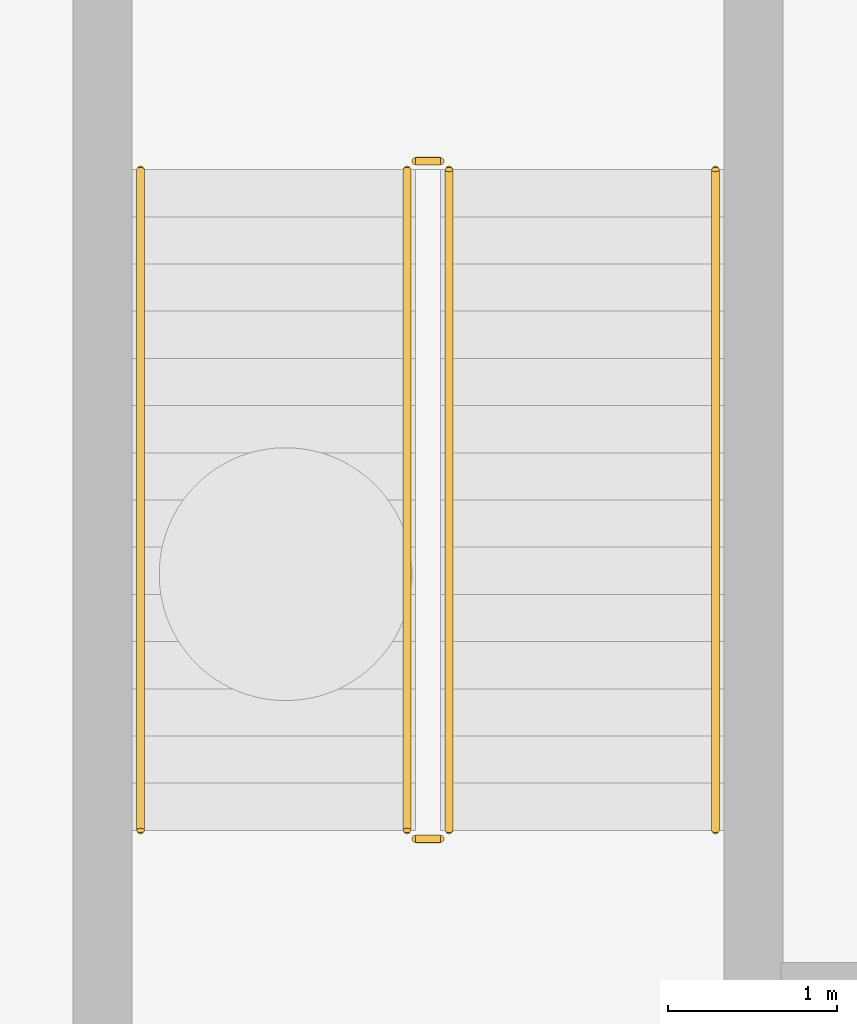
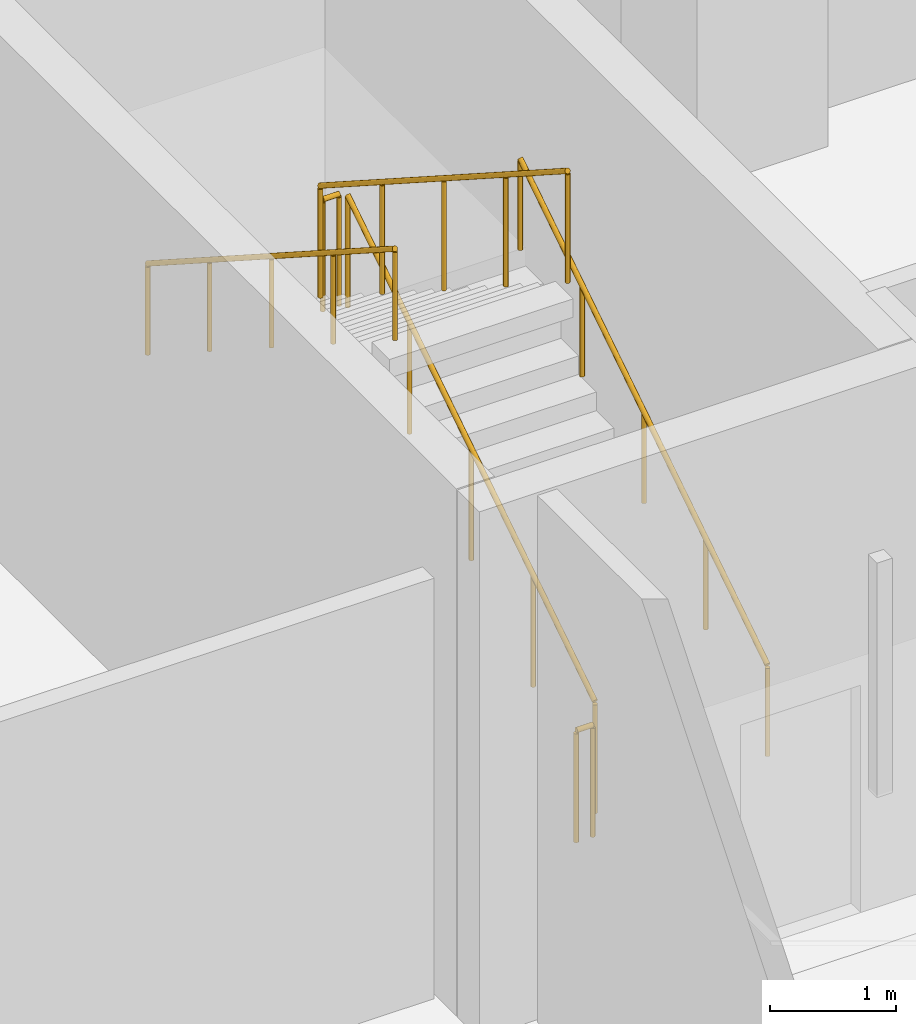
# One storey, part 16 of 22: 6 railings.
"""IFC4 building model written with IfcOpenShell, lengths in metres."""

from ifc_helpers import new_model, si_unit, direction, frame, origin, origin_2d, place, context, subcontext, project, spatial, circle, extrude, material, type_object, element, save


model = new_model("IFC4")

# Units and contexts
model_context = context("Model", 3, precision=1e-05, world=origin(), true_north=direction((0.0, 1.0)))
body_context = subcontext(model_context, "Body", "Model", "MODEL_VIEW")
ifc_project = project(units=[si_unit("LENGTHUNIT", "METRE"), si_unit("AREAUNIT", "SQUARE_METRE"), si_unit("VOLUMEUNIT", "CUBIC_METRE"), si_unit("PLANEANGLEUNIT", "RADIAN"), si_unit("MASSUNIT", "GRAM", prefix="KILO")], contexts=[model_context])

# Site, building, storey
site_placement = place(None, origin())
site = spatial("IfcSite", under=ifc_project, at=site_placement, CompositionType="ELEMENT")
building_placement = place(site_placement, origin())
building = spatial("IfcBuilding", under=site, at=building_placement, Name="Qorvath Tower", CompositionType="ELEMENT")
storey_placement = place(building_placement, frame((0.0, 0.0, -5.39990234375)))
storey = spatial("IfcBuildingStorey", under=building, at=storey_placement, Name="B01", CompositionType="ELEMENT", Elevation=-5.39990234375)

# Railings
ifc_material_1 = material(Name="Painted galvanised steel", Category="steel")
railing_type_1 = type_object("IfcRailingType", Name="RL-STR-GRD", PredefinedType="GUARDRAIL", material=ifc_material_1)
railing_1_placement = place(storey_placement, frame((-36.22998046875, -2.719970703125, 0.179931640625)))
element("IfcRailing", 1, at=railing_1_placement, inside=storey, type_object=railing_type_1, Name="B01 TS3 stair guard 1", PredefinedType="GUARDRAIL", context=body_context, shape_type="SweptSolid", body=[
    extrude(circle(Radius=0.02392578125, at=origin_2d()), frame((0.0, 0.0, 1.076171875), z_axis=(0.0, 0.841171666519, 0.540768182723), x_axis=(-1.0, 0.0, 0.0)), (0.0, 0.0, 1.0), 4.66015625),
    extrude(circle(Radius=0.02099609375, at=origin_2d()), origin(), (0.0, 0.0, 1.0), 1.052001953125),
    extrude(circle(Radius=0.02099609375, at=origin_2d()), frame((0.0, 0.97998046875, 0.6298828125)), (0.0, 0.0, 1.0), 1.052001953125),
    extrude(circle(Radius=0.02099609375, at=origin_2d()), frame((0.0, 1.9599609375, 1.260009765625)), (0.0, 0.0, 1.0), 1.052001953125),
    extrude(circle(Radius=0.02099609375, at=origin_2d()), frame((0.0, 2.93994140625, 1.89013671875)), (0.0, 0.0, 1.0), 1.052001953125),
    extrude(circle(Radius=0.02099609375, at=origin_2d()), frame((0.0, 3.919921875, 2.52001953125)), (0.0, 0.0, 1.0), 1.052001953125),
])
railing_2_placement = place(storey_placement, frame((-36.280029296875, 1.25, 2.699951171875)))
element("IfcRailing", 2, at=railing_2_placement, inside=storey, type_object=railing_type_1, Name="B01 TS3 stair guard 2", PredefinedType="GUARDRAIL", context=body_context, shape_type="SweptSolid", body=[
    extrude(circle(Radius=0.02392578125, at=origin_2d()), frame((0.0, 0.0, 1.076171875), z_axis=(-1.0, 0.0, 0.0), x_axis=(0.0, -1.0, 0.0)), (0.0, 0.0, 1.0), 0.14990234375),
    extrude(circle(Radius=0.02099609375, at=origin_2d()), origin(), (0.0, 0.0, 1.0), 1.052001953125),
    extrude(circle(Radius=0.02099609375, at=origin_2d()), frame((-0.14990234375, 0.0, 0.0)), (0.0, 0.0, 1.0), 1.052001953125),
])
railing_3_placement = place(storey_placement, frame((-36.47998046875, 1.199951171875, 2.8798828125)))
element("IfcRailing", 3, at=railing_3_placement, inside=storey, type_object=railing_type_1, Name="B01 TS3 stair guard 3", PredefinedType="GUARDRAIL", context=body_context, shape_type="SweptSolid", body=[
    extrude(circle(Radius=0.02392578125, at=origin_2d()), frame((0.0, 0.0, 1.076171875), z_axis=(0.0, -0.841171666519, 0.540768182723), x_axis=(1.0, 0.0, 0.0)), (0.0, 0.0, 1.0), 4.66015625),
    extrude(circle(Radius=0.02099609375, at=origin_2d()), origin(), (0.0, 0.0, 1.0), 1.052001953125),
    extrude(circle(Radius=0.02099609375, at=origin_2d()), frame((0.0, -0.97998046875, 0.6298828125)), (0.0, 0.0, 1.0), 1.052001953125),
    extrude(circle(Radius=0.02099609375, at=origin_2d()), frame((0.0, -1.9599609375, 1.260009765625)), (0.0, 0.0, 1.0), 1.052001953125),
    extrude(circle(Radius=0.02099609375, at=origin_2d()), frame((0.0, -2.93994140625, 1.89013671875)), (0.0, 0.0, 1.0), 1.052001953125),
    extrude(circle(Radius=0.02099609375, at=origin_2d()), frame((0.0, -3.919921875, 2.52001953125)), (0.0, 0.0, 1.0), 1.052001953125),
])
railing_4_placement = place(storey_placement, frame((-36.280029296875, -2.77001953125, 0.0)))
element("IfcRailing", 4, at=railing_4_placement, inside=storey, type_object=railing_type_1, Name="B01 TS3 stair guard 4", PredefinedType="GUARDRAIL", context=body_context, shape_type="SweptSolid", body=[
    extrude(circle(Radius=0.02392578125, at=origin_2d()), frame((0.0, 0.0, 1.076171875), z_axis=(-1.0, 0.0, 0.0), x_axis=(0.0, -1.0, 0.0)), (0.0, 0.0, 1.0), 0.14990234375),
    extrude(circle(Radius=0.02099609375, at=origin_2d()), origin(), (0.0, 0.0, 1.0), 1.052001953125),
    extrude(circle(Radius=0.02099609375, at=origin_2d()), frame((-0.14990234375, 0.0, 0.0)), (0.0, 0.0, 1.0), 1.052001953125),
])
ifc_material_2 = material(Name="Brushed stainless steel AISI 304", Category="steel")
railing_type_2 = type_object("IfcRailingType", Name="RL-STR-HND", PredefinedType="HANDRAIL", material=ifc_material_2)
railing_5_placement = place(storey_placement, frame((-34.64990234375, -2.719970703125, 0.179931640625)))
element("IfcRailing", 5, at=railing_5_placement, inside=storey, type_object=railing_type_2, Name="B01 TS3 stair handrail 1", PredefinedType="HANDRAIL", context=body_context, shape_type="SweptSolid", body=[
    extrude(circle(Radius=0.02392578125, at=origin_2d()), frame((0.0, 0.0, 0.8759765625), z_axis=(0.0, 0.841171666519, 0.540768182723), x_axis=(-1.0, 0.0, 0.0)), (0.0, 0.0, 1.0), 4.66015625),
    extrude(circle(Radius=0.02099609375, at=origin_2d()), origin(), (0.0, 0.0, 1.0), 0.851806640625),
    extrude(circle(Radius=0.02099609375, at=origin_2d()), frame((0.0, 0.97998046875, 0.6298828125)), (0.0, 0.0, 1.0), 0.851806640625),
    extrude(circle(Radius=0.02099609375, at=origin_2d()), frame((0.0, 1.9599609375, 1.260009765625)), (0.0, 0.0, 1.0), 0.851806640625),
    extrude(circle(Radius=0.02099609375, at=origin_2d()), frame((0.0, 2.93994140625, 1.89013671875)), (0.0, 0.0, 1.0), 0.851806640625),
    extrude(circle(Radius=0.02099609375, at=origin_2d()), frame((0.0, 3.919921875, 2.52001953125)), (0.0, 0.0, 1.0), 0.851806640625),
])
railing_6_placement = place(storey_placement, frame((-38.06005859375, 1.199951171875, 2.8798828125)))
element("IfcRailing", 6, at=railing_6_placement, inside=storey, type_object=railing_type_2, Name="B01 TS3 stair handrail 2", PredefinedType="HANDRAIL", context=body_context, shape_type="SweptSolid", body=[
    extrude(circle(Radius=0.02392578125, at=origin_2d()), frame((0.0, 0.0, 0.8759765625), z_axis=(0.0, -0.841171666519, 0.540768182723), x_axis=(1.0, 0.0, 0.0)), (0.0, 0.0, 1.0), 4.66015625),
    extrude(circle(Radius=0.02099609375, at=origin_2d()), origin(), (0.0, 0.0, 1.0), 0.851806640625),
    extrude(circle(Radius=0.02099609375, at=origin_2d()), frame((0.0, -0.97998046875, 0.6298828125)), (0.0, 0.0, 1.0), 0.851806640625),
    extrude(circle(Radius=0.02099609375, at=origin_2d()), frame((0.0, -1.9599609375, 1.260009765625)), (0.0, 0.0, 1.0), 0.851806640625),
    extrude(circle(Radius=0.02099609375, at=origin_2d()), frame((0.0, -2.93994140625, 1.89013671875)), (0.0, 0.0, 1.0), 0.851806640625),
    extrude(circle(Radius=0.02099609375, at=origin_2d()), frame((0.0, -3.919921875, 2.52001953125)), (0.0, 0.0, 1.0), 0.851806640625),
])

save(model, "model.ifc")
